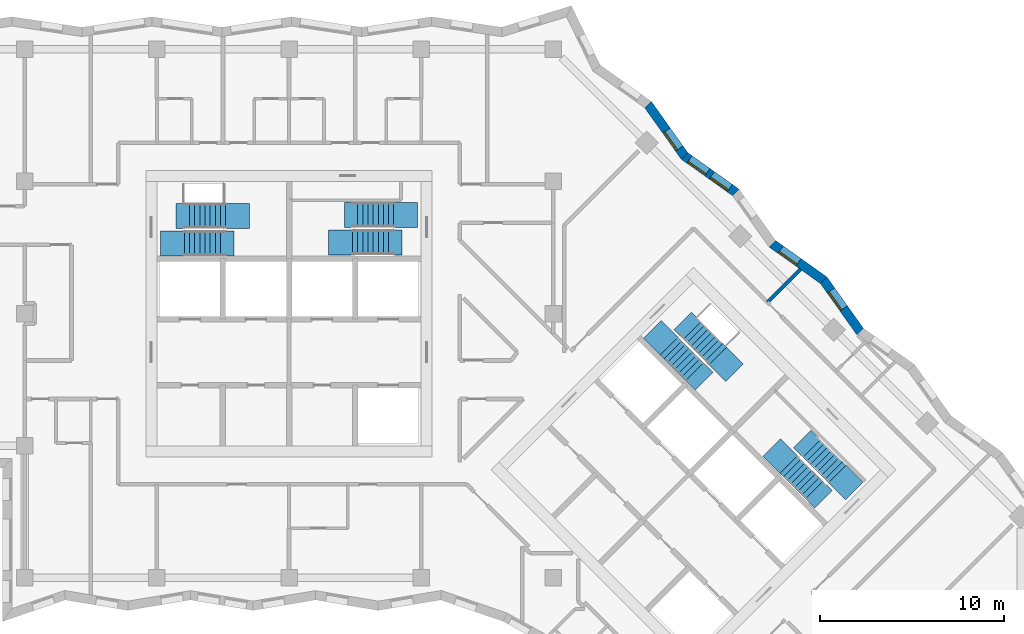
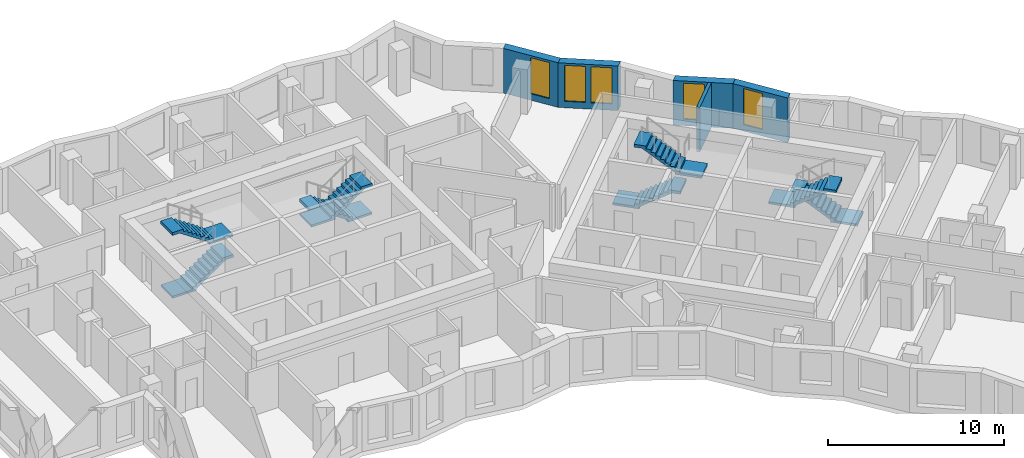
# One storey, part 10 of 12: 8 stair flights, 5 walls, 5 windows, 5 openings, 4 elements without a shape of their own.
"""IFC4 building model written with IfcOpenShell, lengths in metres."""

from ifc_helpers import new_model, si_unit, direction, frame, frame_2d, origin, place, context, subcontext, project, spatial, polyline, rectangle, outline, extrude, material, layer, layer_set, type_object, element, fill, aggregate, save


model = new_model("IFC4")

# Units and contexts
model_context = context("Model", 3, precision=1e-05, world=origin(), true_north=direction((0.0, 1.0)))
body_context = subcontext(model_context, "Body", "Model", "MODEL_VIEW")
ifc_project = project(units=[si_unit("LENGTHUNIT", "METRE"), si_unit("AREAUNIT", "SQUARE_METRE"), si_unit("VOLUMEUNIT", "CUBIC_METRE"), si_unit("PLANEANGLEUNIT", "RADIAN"), si_unit("MASSUNIT", "GRAM", prefix="KILO")], contexts=[model_context])

# Site, building, storey
site_placement = place(None, origin())
site = spatial("IfcSite", under=ifc_project, at=site_placement, CompositionType="ELEMENT")
building_placement = place(site_placement, origin())
building = spatial("IfcBuilding", under=site, at=building_placement, Name="Windrow Commons", CompositionType="ELEMENT")
storey_placement = place(building_placement, frame((0.0, 0.0, 166.0)))
storey = spatial("IfcBuildingStorey", under=building, at=storey_placement, Name="L45", CompositionType="ELEMENT", Elevation=166.0)

# Wall, opening, window
ifc_material_1 = material(Name="Brick masonry, red clay brick", Category="masonry")
ifc_layer_1 = layer(ifc_material_1, 0.5)
ifc_layer_set_1 = layer_set([ifc_layer_1], Name="Brick facade wall 500")
wall_type_1 = type_object("IfcWallType", Name="Brick facade wall 500", PredefinedType="SOLIDWALL", material=ifc_layer_set_1)
wall_1_placement = place(storey_placement, frame((95.914, 56.6245, 0.0), z_axis=(0.0, 0.0, 1.0), x_axis=(-0.5792728992, 0.8151336751, 0.0)))
wall_1 = element("IfcWall", 1, at=wall_1_placement, inside=storey, type_object=wall_type_1, Name="Brick facade wall L45 12", PredefinedType="SOLIDWALL", context=body_context, shape_type="SweptSolid", body=[
    extrude(outline(polyline([(0.0423, -0.25), (3.4722, -0.25), (3.3876, 0.25), (-0.0423, 0.25), (0.0423, -0.25)])), origin(), (0.0, 0.0, 1.0), 3.1),
])
opening_1_placement = place(wall_1_placement, frame((1.5469, 0.0, 0.45)))
opening_1 = element("IfcOpeningElement", 2, at=opening_1_placement, cuts=wall_1, Name="Opening W7E", PredefinedType="OPENING", context=body_context, shape_type="SweptSolid", body=[
    extrude(rectangle(XDim=1.2, YDim=2.5, at=frame_2d((0.6, 1.25))), frame((0.0, 0.26, 0.0), z_axis=(0.0, -1.0, 0.0), x_axis=(1.0, 0.0, 0.0)), (0.0, 0.0, 1.0), 0.52),
])
ifc_material_2 = material(Name="Clear float glass in anodised aluminium frame", Category="aluminium")
window_type = type_object("IfcWindowType", Name="Window W7 notch 1200x2500", PartitioningType="SINGLE_PANEL", PredefinedType="WINDOW", material=ifc_material_2)
window_1_placement = place(opening_1_placement, origin())
window_1 = element("IfcWindow", 3, at=window_1_placement, inside=storey, type_object=window_type, Name="Window L45 12.1", OverallHeight=2.5, OverallWidth=1.2, PartitioningType="SINGLE_PANEL", PredefinedType="WINDOW", context=body_context, shape_type="SweptSolid", body=[
    extrude(rectangle(XDim=1.2, YDim=2.5, at=frame_2d((0.6, 1.25))), frame((0.0, 0.18, 0.0), z_axis=(0.0, -1.0, 0.0), x_axis=(1.0, 0.0, 0.0)), (0.0, 0.0, 1.0), 0.06),
])
fill(opening_1, window_1)

wall_2_placement = place(storey_placement, frame((93.9271, 59.4204, 0.0), z_axis=(0.0, 0.0, 1.0), x_axis=(-0.8151376585, 0.5792672938, 0.0)))
wall_2 = element("IfcWall", 4, at=wall_2_placement, inside=storey, type_object=wall_type_1, Name="Brick facade wall L45 13", PredefinedType="SOLIDWALL", context=body_context, shape_type="SweptSolid", body=[
    extrude(outline(polyline([(-0.0423, -0.25), (3.3876, -0.25), (3.4722, 0.25), (0.0423, 0.25), (-0.0423, -0.25)])), origin(), (0.0, 0.0, 1.0), 3.1),
])
opening_2_placement = place(wall_2_placement, frame((1.6786, 0.0, 0.45)))
opening_2 = element("IfcOpeningElement", 5, at=opening_2_placement, cuts=wall_2, Name="Opening W7E", PredefinedType="OPENING", context=body_context, shape_type="SweptSolid", body=[
    extrude(rectangle(XDim=1.2, YDim=2.5, at=frame_2d((0.6, 1.25))), frame((0.0, 0.26, 0.0), z_axis=(0.0, -1.0, 0.0), x_axis=(1.0, 0.0, 0.0)), (0.0, 0.0, 1.0), 0.52),
])
window_2_placement = place(opening_2_placement, origin())
window_2 = element("IfcWindow", 6, at=window_2_placement, inside=storey, type_object=window_type, Name="Window L45 13.1", OverallHeight=2.5, OverallWidth=1.2, PartitioningType="SINGLE_PANEL", PredefinedType="WINDOW", context=body_context, shape_type="SweptSolid", body=[
    extrude(rectangle(XDim=1.2, YDim=2.5, at=frame_2d((0.6, 1.25))), frame((0.0, 0.18, 0.0), z_axis=(0.0, -1.0, 0.0), x_axis=(1.0, 0.0, 0.0)), (0.0, 0.0, 1.0), 0.06),
])
fill(opening_2, window_2)

# Wall, openings, windows
wall_3_placement = place(storey_placement, frame((89.1444, 64.2031, 0.0), z_axis=(0.0, 0.0, 1.0), x_axis=(-0.8151376585, 0.5792672938, 0.0)))
wall_3 = element("IfcWall", 7, at=wall_3_placement, inside=storey, type_object=wall_type_1, Name="Brick facade wall L45 15", PredefinedType="SOLIDWALL", context=body_context, shape_type="SweptSolid", body=[
    extrude(outline(polyline([(-0.0423, -0.25), (3.3876, -0.25), (3.4722, 0.25), (0.0423, 0.25), (-0.0423, -0.25)])), origin(), (0.0, 0.0, 1.0), 3.1),
])
opening_3_placement = place(wall_3_placement, frame((0.406, 0.0, 0.45)))
opening_3 = element("IfcOpeningElement", 8, at=opening_3_placement, cuts=wall_3, Name="Opening W7E", PredefinedType="OPENING", context=body_context, shape_type="SweptSolid", body=[
    extrude(rectangle(XDim=1.2, YDim=2.5, at=frame_2d((0.6, 1.25))), frame((0.0, 0.26, 0.0), z_axis=(0.0, -1.0, 0.0), x_axis=(1.0, 0.0, 0.0)), (0.0, 0.0, 1.0), 0.52),
])
opening_4_placement = place(wall_3_placement, frame((1.8999, 0.0, 0.45)))
opening_4 = element("IfcOpeningElement", 9, at=opening_4_placement, cuts=wall_3, Name="Opening W7E", PredefinedType="OPENING", context=body_context, shape_type="SweptSolid", body=[
    extrude(rectangle(XDim=1.2, YDim=2.5, at=frame_2d((0.6, 1.25))), frame((0.0, 0.26, 0.0), z_axis=(0.0, -1.0, 0.0), x_axis=(1.0, 0.0, 0.0)), (0.0, 0.0, 1.0), 0.52),
])
window_3_placement = place(opening_3_placement, origin())
window_3 = element("IfcWindow", 10, at=window_3_placement, inside=storey, type_object=window_type, Name="Window L45 15.1", OverallHeight=2.5, OverallWidth=1.2, PartitioningType="SINGLE_PANEL", PredefinedType="WINDOW", context=body_context, shape_type="SweptSolid", body=[
    extrude(rectangle(XDim=1.2, YDim=2.5, at=frame_2d((0.6, 1.25))), frame((0.0, 0.18, 0.0), z_axis=(0.0, -1.0, 0.0), x_axis=(1.0, 0.0, 0.0)), (0.0, 0.0, 1.0), 0.06),
])
fill(opening_3, window_3)
window_4_placement = place(opening_4_placement, origin())
window_4 = element("IfcWindow", 11, at=window_4_placement, inside=storey, type_object=window_type, Name="Window L45 15.2", OverallHeight=2.5, OverallWidth=1.2, PartitioningType="SINGLE_PANEL", PredefinedType="WINDOW", context=body_context, shape_type="SweptSolid", body=[
    extrude(rectangle(XDim=1.2, YDim=2.5, at=frame_2d((0.6, 1.25))), frame((0.0, 0.18, 0.0), z_axis=(0.0, -1.0, 0.0), x_axis=(1.0, 0.0, 0.0)), (0.0, 0.0, 1.0), 0.06),
])
fill(opening_4, window_4)

# Wall, opening, window
wall_4_placement = place(storey_placement, frame((86.3486, 66.1899, 0.0), z_axis=(0.0, 0.0, 1.0), x_axis=(-0.5792728992, 0.8151336751, 0.0)))
wall_4 = element("IfcWall", 12, at=wall_4_placement, inside=storey, type_object=wall_type_1, Name="Brick facade wall L45 16", PredefinedType="SOLIDWALL", context=body_context, shape_type="SweptSolid", body=[
    extrude(outline(polyline([(0.0423, -0.25), (3.4722, -0.25), (3.3876, 0.25), (-0.0423, 0.25), (0.0423, -0.25)])), origin(), (0.0, 0.0, 1.0), 3.1),
])
opening_5_placement = place(wall_4_placement, frame((0.4955, 0.0, 0.45)))
opening_5 = element("IfcOpeningElement", 13, at=opening_5_placement, cuts=wall_4, Name="Opening W7E", PredefinedType="OPENING", context=body_context, shape_type="SweptSolid", body=[
    extrude(rectangle(XDim=1.2, YDim=2.5, at=frame_2d((0.6, 1.25))), frame((0.0, 0.26, 0.0), z_axis=(0.0, -1.0, 0.0), x_axis=(1.0, 0.0, 0.0)), (0.0, 0.0, 1.0), 0.52),
])
window_5_placement = place(opening_5_placement, origin())
window_5 = element("IfcWindow", 14, at=window_5_placement, inside=storey, type_object=window_type, Name="Window L45 16.1", OverallHeight=2.5, OverallWidth=1.2, PartitioningType="SINGLE_PANEL", PredefinedType="WINDOW", context=body_context, shape_type="SweptSolid", body=[
    extrude(rectangle(XDim=1.2, YDim=2.5, at=frame_2d((0.6, 1.25))), frame((0.0, 0.18, 0.0), z_axis=(0.0, -1.0, 0.0), x_axis=(1.0, 0.0, 0.0)), (0.0, 0.0, 1.0), 0.06),
])
fill(opening_5, window_5)

# Wall
ifc_material_3 = material(Name="Blockwork partition", Category="masonry")
ifc_layer_2 = layer(ifc_material_3, 0.2)
ifc_layer_set_2 = layer_set([ifc_layer_2], Name="IW-PARTY-200")
wall_type_2 = type_object("IfcWallType", Name="IW-PARTY-200", PredefinedType="PARTITIONING", material=ifc_layer_set_2)
wall_5_placement = place(storey_placement, frame((90.8669, 58.2131, 0.0), z_axis=(0.0, 0.0, 1.0), x_axis=(0.7066148947, 0.7075983258, 0.0)))
element("IfcWall", 15, at=wall_5_placement, inside=storey, type_object=wall_type_2, Name="W-L45-W067", PredefinedType="PARTITIONING", context=body_context, shape_type="SweptSolid", body=[
    extrude(rectangle(XDim=2.5421, YDim=0.2, at=frame_2d((1.2711, 0.0))), origin(), (0.0, 0.0, 1.0), 3.1),
])

# Stair, stair flights
ifc_material_4 = material(Name="Concrete C40/50", Category="concrete")
stair_type = type_object("IfcStairType", Name="Core stair", PredefinedType="HALF_TURN_STAIR", material=ifc_material_4)
placement = place(storey_placement, origin())
stair_1 = element("IfcStair", 16, at=placement, inside=storey, type_object=stair_type, Name="L45 Exit stair A1 core A", PredefinedType="HALF_TURN_STAIR")
ifc_material_5 = material(Name="Concrete C40/50", Category="concrete")
stair_flight_type = type_object("IfcStairFlightType", Name="Core stair flight", PredefinedType="STRAIGHT", material=ifc_material_5)
stair_flight_1_placement = place(storey_placement, frame((59.1, 61.425, 0.0), z_axis=(0.0, 0.0, 1.0), x_axis=(1.0, 0.0, 0.0)))
stair_flight_1 = element("IfcStairFlight", 17, at=stair_flight_1_placement, type_object=stair_flight_type, Name="ST-A1 flight 1", NumberOfRisers=9, NumberOfTreads=8, PredefinedType="STRAIGHT", RiserHeight=0.188888889, TreadLength=0.28, context=body_context, shape_type="SweptSolid", body=[
    extrude(outline(polyline([(-1.3, -0.15), (-1.3, 0.0), (0.0, 0.0), (0.0, 0.1889), (0.28, 0.1889), (0.28, 0.3778), (0.56, 0.3778), (0.56, 0.5667), (0.84, 0.5667), (0.84, 0.7556), (1.12, 0.7556), (1.12, 0.9444), (1.4, 0.9444), (1.4, 1.1333), (1.68, 1.1333), (1.68, 1.3222), (1.96, 1.3222), (1.96, 1.5111), (2.24, 1.5111), (2.69, 1.5111), (2.69, 1.3111), (2.24, 1.3111), (2.24, 1.3302), (0.2682, 0.0), (0.2682, -0.15), (-1.3, -0.15)])), frame((0.0, 0.675, 0.0), z_axis=(0.0, -1.0, 0.0), x_axis=(1.0, 0.0, 0.0)), (0.0, 0.0, 1.0), 1.35),
])
stair_flight_2_placement = place(storey_placement, frame((61.34, 62.925, 1.7), z_axis=(0.0, 0.0, 1.0), x_axis=(-1.0, 0.0, 0.0)))
stair_flight_2 = element("IfcStairFlight", 18, at=stair_flight_2_placement, type_object=stair_flight_type, Name="ST-A1 flight 2", NumberOfRisers=9, NumberOfTreads=8, PredefinedType="STRAIGHT", RiserHeight=0.188888889, TreadLength=0.28, context=body_context, shape_type="SweptSolid", body=[
    extrude(outline(polyline([(-1.3, -0.15), (-1.3, 0.0), (0.0, 0.0), (0.0, 0.1889), (0.28, 0.1889), (0.28, 0.3778), (0.56, 0.3778), (0.56, 0.5667), (0.84, 0.5667), (0.84, 0.7556), (1.12, 0.7556), (1.12, 0.9444), (1.4, 0.9444), (1.4, 1.1333), (1.68, 1.1333), (1.68, 1.3222), (1.96, 1.3222), (1.96, 1.5111), (2.24, 1.5111), (2.69, 1.5111), (2.69, 1.3111), (2.24, 1.3111), (2.24, 1.3302), (0.2682, 0.0), (0.2682, -0.15), (-1.3, -0.15)])), frame((0.0, 0.675, 0.0), z_axis=(0.0, -1.0, 0.0), x_axis=(1.0, 0.0, 0.0)), (0.0, 0.0, 1.0), 1.35),
])
aggregate(stair_1, [stair_flight_1, stair_flight_2])

stair_2 = element("IfcStair", 19, at=placement, inside=storey, type_object=stair_type, Name="L45 Exit stair A2 core A", PredefinedType="HALF_TURN_STAIR")
stair_flight_3_placement = place(storey_placement, frame((70.5, 62.98, 0.0), z_axis=(0.0, 0.0, 1.0), x_axis=(-1.0, 0.0, 0.0)))
stair_flight_3 = element("IfcStairFlight", 20, at=stair_flight_3_placement, type_object=stair_flight_type, Name="ST-A2 flight 1", NumberOfRisers=9, NumberOfTreads=8, PredefinedType="STRAIGHT", RiserHeight=0.188888889, TreadLength=0.28, context=body_context, shape_type="SweptSolid", body=[
    extrude(outline(polyline([(-1.3, -0.15), (-1.3, 0.0), (0.0, 0.0), (0.0, 0.1889), (0.28, 0.1889), (0.28, 0.3778), (0.56, 0.3778), (0.56, 0.5667), (0.84, 0.5667), (0.84, 0.7556), (1.12, 0.7556), (1.12, 0.9444), (1.4, 0.9444), (1.4, 1.1333), (1.68, 1.1333), (1.68, 1.3222), (1.96, 1.3222), (1.96, 1.5111), (2.24, 1.5111), (2.69, 1.5111), (2.69, 1.3111), (2.24, 1.3111), (2.24, 1.3302), (0.2682, 0.0), (0.2682, -0.15), (-1.3, -0.15)])), frame((0.0, 0.675, 0.0), z_axis=(0.0, -1.0, 0.0), x_axis=(1.0, 0.0, 0.0)), (0.0, 0.0, 1.0), 1.35),
])
stair_flight_4_placement = place(storey_placement, frame((68.26, 61.48, 1.7), z_axis=(0.0, 0.0, 1.0), x_axis=(1.0, 0.0, 0.0)))
stair_flight_4 = element("IfcStairFlight", 21, at=stair_flight_4_placement, type_object=stair_flight_type, Name="ST-A2 flight 2", NumberOfRisers=9, NumberOfTreads=8, PredefinedType="STRAIGHT", RiserHeight=0.188888889, TreadLength=0.28, context=body_context, shape_type="SweptSolid", body=[
    extrude(outline(polyline([(-1.3, -0.15), (-1.3, 0.0), (0.0, 0.0), (0.0, 0.1889), (0.28, 0.1889), (0.28, 0.3778), (0.56, 0.3778), (0.56, 0.5667), (0.84, 0.5667), (0.84, 0.7556), (1.12, 0.7556), (1.12, 0.9444), (1.4, 0.9444), (1.4, 1.1333), (1.68, 1.1333), (1.68, 1.3222), (1.96, 1.3222), (1.96, 1.5111), (2.24, 1.5111), (2.69, 1.5111), (2.69, 1.3111), (2.24, 1.3111), (2.24, 1.3302), (0.2682, 0.0), (0.2682, -0.15), (-1.3, -0.15)])), frame((0.0, 0.675, 0.0), z_axis=(0.0, -1.0, 0.0), x_axis=(1.0, 0.0, 0.0)), (0.0, 0.0, 1.0), 1.35),
])
aggregate(stair_2, [stair_flight_3, stair_flight_4])

stair_3 = element("IfcStair", 22, at=placement, inside=storey, type_object=stair_type, Name="L45 Exit stair B1 core B", PredefinedType="HALF_TURN_STAIR")
stair_flight_5_placement = place(storey_placement, frame((85.5109, 55.8249, 0.0), z_axis=(0.0, 0.0, 1.0), x_axis=(0.7071067812, -0.7071067812, 0.0)))
stair_flight_5 = element("IfcStairFlight", 23, at=stair_flight_5_placement, type_object=stair_flight_type, Name="ST-B1 flight 1", NumberOfRisers=9, NumberOfTreads=8, PredefinedType="STRAIGHT", RiserHeight=0.188888889, TreadLength=0.28, context=body_context, shape_type="SweptSolid", body=[
    extrude(outline(polyline([(-1.3, -0.15), (-1.3, 0.0), (0.0, 0.0), (0.0, 0.1889), (0.28, 0.1889), (0.28, 0.3778), (0.56, 0.3778), (0.56, 0.5667), (0.84, 0.5667), (0.84, 0.7556), (1.12, 0.7556), (1.12, 0.9444), (1.4, 0.9444), (1.4, 1.1333), (1.68, 1.1333), (1.68, 1.3222), (1.96, 1.3222), (1.96, 1.5111), (2.24, 1.5111), (2.69, 1.5111), (2.69, 1.3111), (2.24, 1.3111), (2.24, 1.3302), (0.2682, 0.0), (0.2682, -0.15), (-1.3, -0.15)])), frame((0.0, 0.675, 0.0), z_axis=(0.0, -1.0, 0.0), x_axis=(1.0, 0.0, 0.0)), (0.0, 0.0, 1.0), 1.35),
])
stair_flight_6_placement = place(storey_placement, frame((88.1555, 55.3017, 1.7), z_axis=(0.0, 0.0, 1.0), x_axis=(-0.7071067812, 0.7071067812, 0.0)))
stair_flight_6 = element("IfcStairFlight", 24, at=stair_flight_6_placement, type_object=stair_flight_type, Name="ST-B1 flight 2", NumberOfRisers=9, NumberOfTreads=8, PredefinedType="STRAIGHT", RiserHeight=0.188888889, TreadLength=0.28, context=body_context, shape_type="SweptSolid", body=[
    extrude(outline(polyline([(-1.3, -0.15), (-1.3, 0.0), (0.0, 0.0), (0.0, 0.1889), (0.28, 0.1889), (0.28, 0.3778), (0.56, 0.3778), (0.56, 0.5667), (0.84, 0.5667), (0.84, 0.7556), (1.12, 0.7556), (1.12, 0.9444), (1.4, 0.9444), (1.4, 1.1333), (1.68, 1.1333), (1.68, 1.3222), (1.96, 1.3222), (1.96, 1.5111), (2.24, 1.5111), (2.69, 1.5111), (2.69, 1.3111), (2.24, 1.3111), (2.24, 1.3302), (0.2682, 0.0), (0.2682, -0.15), (-1.3, -0.15)])), frame((0.0, 0.675, 0.0), z_axis=(0.0, -1.0, 0.0), x_axis=(1.0, 0.0, 0.0)), (0.0, 0.0, 1.0), 1.35),
])
aggregate(stair_3, [stair_flight_5, stair_flight_6])

stair_4 = element("IfcStair", 25, at=placement, inside=storey, type_object=stair_type, Name="L45 Exit stair B2 core B", PredefinedType="HALF_TURN_STAIR")
stair_flight_7_placement = place(storey_placement, frame((94.6715, 48.8635, 0.0), z_axis=(0.0, 0.0, 1.0), x_axis=(-0.7071067812, 0.7071067812, 0.0)))
stair_flight_7 = element("IfcStairFlight", 26, at=stair_flight_7_placement, type_object=stair_flight_type, Name="ST-B2 flight 1", NumberOfRisers=9, NumberOfTreads=8, PredefinedType="STRAIGHT", RiserHeight=0.188888889, TreadLength=0.28, context=body_context, shape_type="SweptSolid", body=[
    extrude(outline(polyline([(-1.3, -0.15), (-1.3, 0.0), (0.0, 0.0), (0.0, 0.1889), (0.28, 0.1889), (0.28, 0.3778), (0.56, 0.3778), (0.56, 0.5667), (0.84, 0.5667), (0.84, 0.7556), (1.12, 0.7556), (1.12, 0.9444), (1.4, 0.9444), (1.4, 1.1333), (1.68, 1.1333), (1.68, 1.3222), (1.96, 1.3222), (1.96, 1.5111), (2.24, 1.5111), (2.69, 1.5111), (2.69, 1.3111), (2.24, 1.3111), (2.24, 1.3302), (0.2682, 0.0), (0.2682, -0.15), (-1.3, -0.15)])), frame((0.0, 0.675, 0.0), z_axis=(0.0, -1.0, 0.0), x_axis=(1.0, 0.0, 0.0)), (0.0, 0.0, 1.0), 1.35),
])
stair_flight_8_placement = place(storey_placement, frame((92.0269, 49.3867, 1.7), z_axis=(0.0, 0.0, 1.0), x_axis=(0.7071067812, -0.7071067812, 0.0)))
stair_flight_8 = element("IfcStairFlight", 27, at=stair_flight_8_placement, type_object=stair_flight_type, Name="ST-B2 flight 2", NumberOfRisers=9, NumberOfTreads=8, PredefinedType="STRAIGHT", RiserHeight=0.188888889, TreadLength=0.28, context=body_context, shape_type="SweptSolid", body=[
    extrude(outline(polyline([(-1.3, -0.15), (-1.3, 0.0), (0.0, 0.0), (0.0, 0.1889), (0.28, 0.1889), (0.28, 0.3778), (0.56, 0.3778), (0.56, 0.5667), (0.84, 0.5667), (0.84, 0.7556), (1.12, 0.7556), (1.12, 0.9444), (1.4, 0.9444), (1.4, 1.1333), (1.68, 1.1333), (1.68, 1.3222), (1.96, 1.3222), (1.96, 1.5111), (2.24, 1.5111), (2.69, 1.5111), (2.69, 1.3111), (2.24, 1.3111), (2.24, 1.3302), (0.2682, 0.0), (0.2682, -0.15), (-1.3, -0.15)])), frame((0.0, 0.675, 0.0), z_axis=(0.0, -1.0, 0.0), x_axis=(1.0, 0.0, 0.0)), (0.0, 0.0, 1.0), 1.35),
])
aggregate(stair_4, [stair_flight_7, stair_flight_8])

save(model, "model.ifc")
